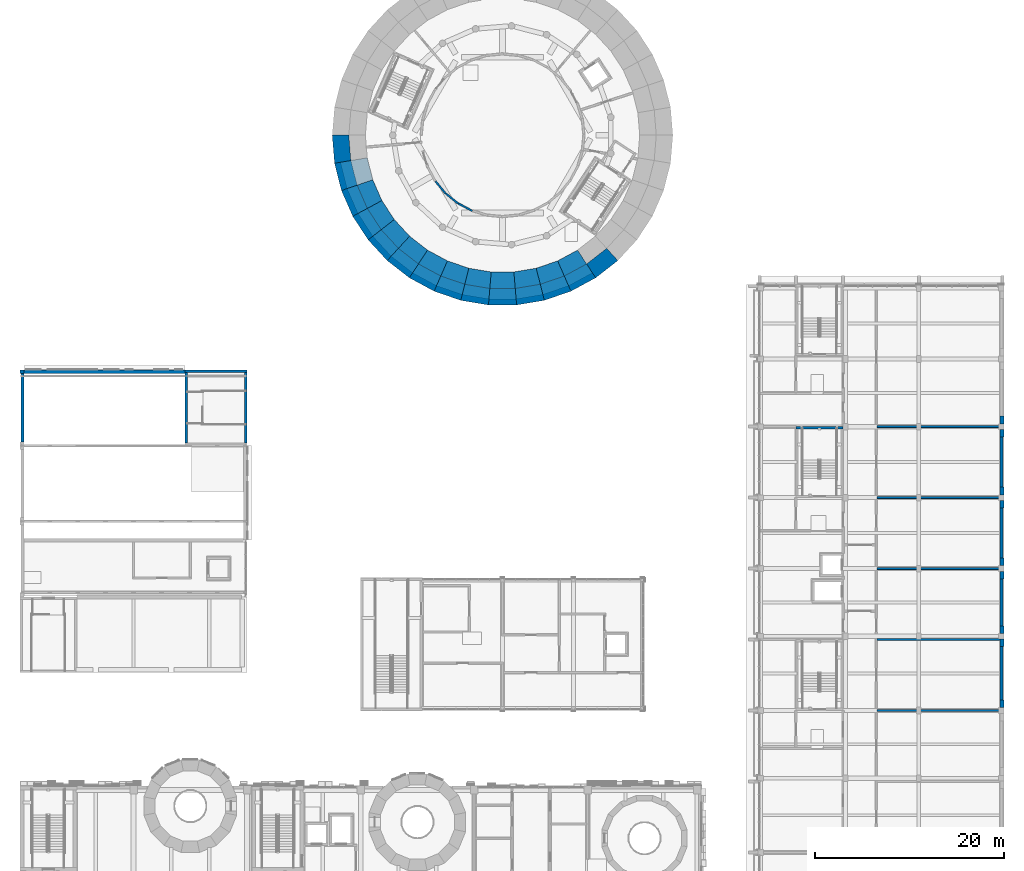
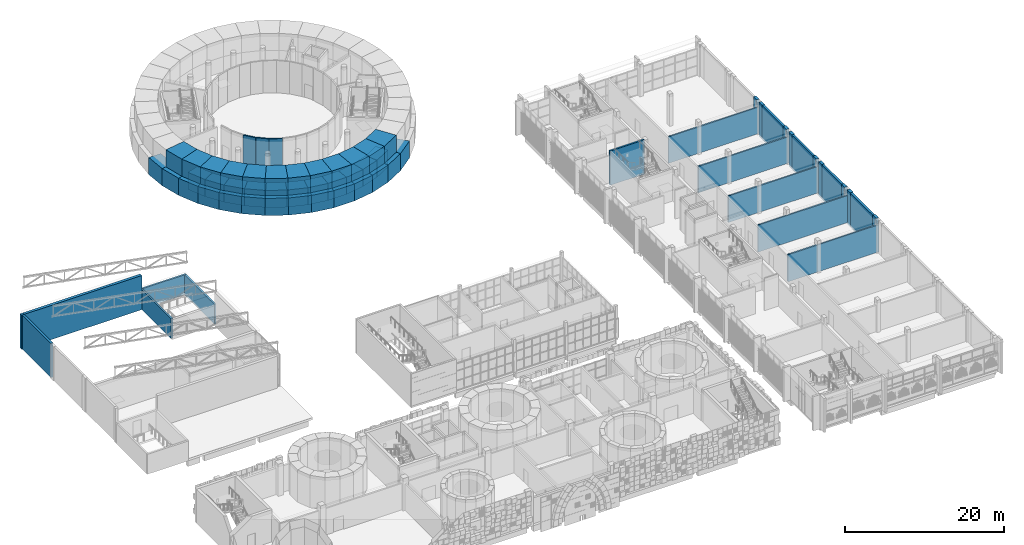
# One storey, part 70 of 125: 65 walls.
"""IFC4 building model written with IfcOpenShell, lengths in metres."""

from ifc_helpers import new_model, si_unit, direction, frame, frame_2d, origin, place, context, subcontext, project, spatial, polyline, rectangle, outline, extrude, material, layer, layer_set, type_object, element, save


model = new_model("IFC4")

# Units and contexts
model_context = context("Model", 3, precision=1e-05, world=origin(), true_north=direction((0.0, 1.0)))
body_context = subcontext(model_context, "Body", "Model", "MODEL_VIEW")
ifc_project = project(units=[si_unit("LENGTHUNIT", "METRE"), si_unit("AREAUNIT", "SQUARE_METRE"), si_unit("VOLUMEUNIT", "CUBIC_METRE"), si_unit("PLANEANGLEUNIT", "RADIAN"), si_unit("MASSUNIT", "GRAM", prefix="KILO")], contexts=[model_context])

# Site, building, storey
site_placement = place(None, origin())
site = spatial("IfcSite", under=ifc_project, at=site_placement, CompositionType="ELEMENT")
building_placement = place(site_placement, origin())
building = spatial("IfcBuilding", under=site, at=building_placement, Name="Sun Court Science Centre", CompositionType="ELEMENT")
storey_placement = place(building_placement, frame((0.0, 0.0, 6.0)))
storey = spatial("IfcBuildingStorey", under=building, at=storey_placement, Name="L01", CompositionType="ELEMENT", Elevation=6.0)

# Walls
ifc_material_1 = material(Name="Gypsum board")
ifc_layer_1 = layer(ifc_material_1, 0.199951171875)
ifc_layer_set_1 = layer_set([ifc_layer_1], Name="Gypsum board")
wall_type_1 = type_object("IfcWallType", Name="Partition 200 acoustic double stud", PredefinedType="PARTITIONING", material=ifc_layer_set_1)
wall_1_placement = place(storey_placement, frame((44.979248046875, 90.638916015625, 0.0), z_axis=(0.0, 0.0, 1.0), x_axis=(-0.634381463281, 0.773020154359, 0.0)))
element("IfcWall", 1, at=wall_1_placement, inside=storey, type_object=wall_type_1, Name="L01 partition 029", PredefinedType="PARTITIONING", context=body_context, shape_type="SweptSolid", body=[
    extrude(rectangle(XDim=1.6728515625, YDim=0.199951171875, at=frame_2d((0.83642578125, 0.0))), origin(), (0.0, 0.0, 1.0), 4.949951171875),
])
wall_2_placement = place(storey_placement, frame((46.297607421875, 89.58349609375, 0.0), z_axis=(0.0, 0.0, 1.0), x_axis=(-0.773007321839, 0.634397099917, 0.0)))
element("IfcWall", 2, at=wall_2_placement, inside=storey, type_object=wall_type_1, Name="L01 partition 032", PredefinedType="PARTITIONING", context=body_context, shape_type="SweptSolid", body=[
    extrude(rectangle(XDim=1.67333984375, YDim=0.199951171875, at=frame_2d((0.836669921875, 0.0))), origin(), (0.0, 0.0, 1.0), 4.949951171875),
])
wall_3_placement = place(storey_placement, frame((47.7958984375, 88.80517578125, 0.0), z_axis=(0.0, 0.0, 1.0), x_axis=(-0.881863670633, 0.471504471259, 0.0)))
element("IfcWall", 3, at=wall_3_placement, inside=storey, type_object=wall_type_1, Name="L01 partition 035", PredefinedType="PARTITIONING", context=body_context, shape_type="SweptSolid", body=[
    extrude(rectangle(XDim=1.673095703125, YDim=0.199951171875, at=frame_2d((0.83642578125, 0.0))), origin(), (0.0, 0.0, 1.0), 4.949951171875),
])
ifc_material_2 = material(Name="Concrete block", Category="concrete")
ifc_layer_2 = layer(ifc_material_2, 0.199951171875)
ifc_layer_set_2 = layer_set([ifc_layer_2], Name="Concrete block")
wall_type_2 = type_object("IfcWallType", Name="Partition 200 laboratory block", PredefinedType="PARTITIONING", material=ifc_layer_set_2)
wall_4_placement = place(storey_placement, frame((90.60009765625, 36.0, 0.0), z_axis=(0.0, 0.0, 1.0), x_axis=(1.0, 0.0, 0.0)))
element("IfcWall", 4, at=wall_4_placement, inside=storey, type_object=wall_type_2, Name="L01 partition 007", PredefinedType="PARTITIONING", context=body_context, shape_type="SweptSolid", body=[
    extrude(rectangle(XDim=13.199951171875, YDim=0.199951171875, at=frame_2d((6.60009765625, 0.0))), origin(), (0.0, 0.0, 1.0), 4.14990234375),
])
wall_5_placement = place(storey_placement, frame((90.60009765625, 43.5, 0.0), z_axis=(0.0, 0.0, 1.0), x_axis=(1.0, 0.0, 0.0)))
element("IfcWall", 5, at=wall_5_placement, inside=storey, type_object=wall_type_2, Name="L01 partition 009", PredefinedType="PARTITIONING", context=body_context, shape_type="SweptSolid", body=[
    extrude(rectangle(XDim=12.997802734375, YDim=0.199951171875, at=frame_2d((6.4990234375, 0.0))), origin(), (0.0, 0.0, 1.0), 4.14990234375),
])
for number, where, z_axis, x_axis, name in (
    (6, (90.60009765625, 51.0, 0.0), (0.0, 0.0, 1.0), (1.0, 0.0, 0.0), "L01 partition 011"),
    (7, (90.60009765625, 58.5, 0.0), (0.0, 0.0, 1.0), (1.0, 0.0, 0.0), "L01 partition 015"),
    (8, (90.60009765625, 66.0, 0.0), (0.0, 0.0, 1.0), (1.0, 0.0, 0.0), "L01 partition 017"),
):
    element("IfcWall", number, at=place(storey_placement, frame(where, z_axis=z_axis, x_axis=x_axis)), inside=storey, type_object=wall_type_2, Name=name, PredefinedType="PARTITIONING", context=body_context, shape_type="SweptSolid", body=[
        extrude(rectangle(XDim=13.199951171875, YDim=0.199951171875, at=frame_2d((6.60009765625, 0.0))), origin(), (0.0, 0.0, 1.0), 4.050048828125),
    ])
ifc_material_3 = material(Name="Concrete C30/37", Category="concrete")
ifc_layer_3 = layer(ifc_material_3, 1.7451171875)
ifc_layer_set_3 = layer_set([ifc_layer_3], Name="Concrete C30/37")
wall_type_3 = type_object("IfcWallType", Name="RC drum wall exterior 1745", PredefinedType="SHEAR", material=ifc_layer_set_3)
wall_6_placement = place(storey_placement, frame((33.869384765625, 96.8720703125, -0.300048828125), z_axis=(0.0, 0.0, 1.0), x_axis=(0.082617291804, -0.996581347957, 0.0)))
element("IfcWall", 9, at=wall_6_placement, inside=storey, type_object=wall_type_3, Name="Drum wall L01 course 1 segment 19", PredefinedType="SHEAR", context=body_context, shape_type="SweptSolid", body=[
    extrude(outline(polyline([(0.0, -0.872314453125), (2.97265625, -0.872314453125), (2.828369140625, 0.872314453125), (0.14453125, 0.87255859375), (0.0, -0.872314453125)])), origin(), (0.0, 0.0, 1.0), 2.625),
])
wall_7_placement = place(storey_placement, frame((34.09130859375, 94.051513671875, -0.300048828125), z_axis=(0.0, 0.0, 1.0), x_axis=(0.245471690726, -0.969403759562, 0.0)))
element("IfcWall", 10, at=wall_7_placement, inside=storey, type_object=wall_type_3, Name="Drum wall L01 course 1 segment 20", PredefinedType="SHEAR", context=body_context, shape_type="SweptSolid", body=[
    extrude(outline(polyline([(0.0, -0.872314453125), (2.972900390625, -0.87255859375), (2.828369140625, 0.87255859375), (0.14453125, 0.872314453125), (0.0, -0.872314453125)])), origin(), (0.0, 0.0, 1.0), 2.625),
])
wall_8_placement = place(storey_placement, frame((34.774169921875, 91.305908203125, -0.300048828125), z_axis=(0.0, 0.0, 1.0), x_axis=(0.401744866956, -0.915751637659, 0.0)))
element("IfcWall", 11, at=wall_8_placement, inside=storey, type_object=wall_type_3, Name="Drum wall L01 course 1 segment 21", PredefinedType="SHEAR", context=body_context, shape_type="SweptSolid", body=[
    extrude(outline(polyline([(0.000244140625, -0.872314453125), (2.972900390625, -0.87255859375), (2.828125, 0.872314453125), (0.144775390625, 0.87255859375), (0.000244140625, -0.872314453125)])), origin(), (0.0, 0.0, 1.0), 2.625),
])
wall_9_placement = place(storey_placement, frame((35.89990234375, 88.710205078125, -0.300048828125), z_axis=(0.0, 0.0, 1.0), x_axis=(0.546943979507, -0.837169208273, 0.0)))
element("IfcWall", 12, at=wall_9_placement, inside=storey, type_object=wall_type_3, Name="Drum wall L01 course 1 segment 22", PredefinedType="SHEAR", context=body_context, shape_type="SweptSolid", body=[
    extrude(outline(polyline([(0.0, -0.87255859375), (2.972900390625, -0.87255859375), (2.828125, 0.872314453125), (0.14453125, 0.872314453125), (0.0, -0.87255859375)])), origin(), (0.0, 0.0, 1.0), 2.625),
])
wall_10_placement = place(storey_placement, frame((37.437255859375, 86.3349609375, -0.300048828125), z_axis=(0.0, 0.0, 1.0), x_axis=(0.677307358238, -0.735700171589, 0.0)))
element("IfcWall", 13, at=wall_10_placement, inside=storey, type_object=wall_type_3, Name="Drum wall L01 course 1 segment 23", PredefinedType="SHEAR", context=body_context, shape_type="SweptSolid", body=[
    extrude(outline(polyline([(0.0, -0.872314453125), (2.972900390625, -0.87255859375), (2.828369140625, 0.87255859375), (0.14453125, 0.87255859375), (0.0, -0.872314453125)])), origin(), (0.0, 0.0, 1.0), 2.625),
])
wall_11_placement = place(storey_placement, frame((39.3447265625, 84.245361328125, -0.300048828125), z_axis=(0.0, 0.0, 1.0), x_axis=(0.78913990845, -0.614213484785, 0.0)))
element("IfcWall", 14, at=wall_11_placement, inside=storey, type_object=wall_type_3, Name="Drum wall L01 course 1 segment 24", PredefinedType="SHEAR", context=body_context, shape_type="SweptSolid", body=[
    extrude(outline(polyline([(0.0, -0.87255859375), (2.97265625, -0.87255859375), (2.828369140625, 0.87255859375), (0.14453125, 0.872802734375), (0.0, -0.87255859375)])), origin(), (0.0, 0.0, 1.0), 2.625),
])
wall_12_placement = place(storey_placement, frame((41.570068359375, 82.498291015625, -0.300048828125), z_axis=(0.0, 0.0, 1.0), x_axis=(0.879472450409, -0.475949796692, 0.0)))
element("IfcWall", 15, at=wall_12_placement, inside=storey, type_object=wall_type_3, Name="Drum wall L01 course 1 segment 25", PredefinedType="SHEAR", context=body_context, shape_type="SweptSolid", body=[
    extrude(outline(polyline([(0.0, -0.87255859375), (2.972900390625, -0.872314453125), (2.828369140625, 0.87255859375), (0.14453125, 0.87255859375), (0.0, -0.87255859375)])), origin(), (0.0, 0.0, 1.0), 2.625),
])
wall_13_placement = place(storey_placement, frame((44.052734375, 81.141357421875, -0.300048828125), z_axis=(0.0, 0.0, 1.0), x_axis=(0.945811972857, -0.324714816417, 0.0)))
element("IfcWall", 16, at=wall_13_placement, inside=storey, type_object=wall_type_3, Name="Drum wall L01 course 1 segment 26", PredefinedType="SHEAR", context=body_context, shape_type="SweptSolid", body=[
    extrude(outline(polyline([(0.0, -0.87255859375), (2.972900390625, -0.87255859375), (2.828125, 0.872314453125), (0.144775390625, 0.872314453125), (0.0, -0.87255859375)])), origin(), (0.0, 0.0, 1.0), 2.625),
])
wall_14_placement = place(storey_placement, frame((46.724853515625, 80.21142578125, -0.300048828125), z_axis=(0.0, 0.0, 1.0), x_axis=(0.986351721292, -0.16465200243, 0.0)))
element("IfcWall", 17, at=wall_14_placement, inside=storey, type_object=wall_type_3, Name="Drum wall L01 course 1 segment 27", PredefinedType="SHEAR", context=body_context, shape_type="SweptSolid", body=[
    extrude(outline(polyline([(0.0, -0.87255859375), (2.972900390625, -0.872314453125), (2.828369140625, 0.87255859375), (0.14453125, 0.872314453125), (0.0, -0.87255859375)])), origin(), (0.0, 0.0, 1.0), 2.625),
])
wall_15_placement = place(storey_placement, frame((49.513671875, 79.73388671875, -0.300048828125), z_axis=(0.0, 0.0, 1.0), x_axis=(1.0, 0.0, 0.0)))
element("IfcWall", 18, at=wall_15_placement, inside=storey, type_object=wall_type_3, Name="Drum wall L01 course 1 segment 28", PredefinedType="SHEAR", context=body_context, shape_type="SweptSolid", body=[
    extrude(outline(polyline([(0.0, -0.872314453125), (2.97265625, -0.872314453125), (2.828125, 0.87255859375), (0.14453125, 0.87255859375), (0.0, -0.872314453125)])), origin(), (0.0, 0.0, 1.0), 2.625),
])
wall_16_placement = place(storey_placement, frame((52.3427734375, 79.721923828125, -0.300048828125), z_axis=(0.0, 0.0, 1.0), x_axis=(0.986351721292, 0.16465200243, 0.0)))
element("IfcWall", 19, at=wall_16_placement, inside=storey, type_object=wall_type_3, Name="Drum wall L01 course 1 segment 29", PredefinedType="SHEAR", context=body_context, shape_type="SweptSolid", body=[
    extrude(outline(polyline([(0.0, -0.872314453125), (2.972900390625, -0.87255859375), (2.828369140625, 0.872314453125), (0.144775390625, 0.87255859375), (0.0, -0.872314453125)])), origin(), (0.0, 0.0, 1.0), 2.625),
])
wall_17_placement = place(storey_placement, frame((55.135498046875, 80.176025390625, -0.300048828125), z_axis=(0.0, 0.0, 1.0), x_axis=(0.945811972857, 0.324714816417, 0.0)))
element("IfcWall", 20, at=wall_17_placement, inside=storey, type_object=wall_type_3, Name="Drum wall L01 course 1 segment 30", PredefinedType="SHEAR", context=body_context, shape_type="SweptSolid", body=[
    extrude(outline(polyline([(0.0, -0.87255859375), (2.97265625, -0.87255859375), (2.828125, 0.872314453125), (0.14453125, 0.872314453125), (0.0, -0.87255859375)])), origin(), (0.0, 0.0, 1.0), 2.625),
])
wall_18_placement = place(storey_placement, frame((57.815185546875, 81.083251953125, -0.300048828125), z_axis=(0.0, 0.0, 1.0), x_axis=(0.879472450409, 0.475949796692, 0.0)))
element("IfcWall", 21, at=wall_18_placement, inside=storey, type_object=wall_type_3, Name="Drum wall L01 course 1 segment 31", PredefinedType="SHEAR", context=body_context, shape_type="SweptSolid", body=[
    extrude(outline(polyline([(0.000244140625, -0.872314453125), (2.97314453125, -0.87255859375), (2.828369140625, 0.87255859375), (0.14453125, 0.87255859375), (0.000244140625, -0.872314453125)])), origin(), (0.0, 0.0, 1.0), 2.625),
])
wall_19_placement = place(storey_placement, frame((60.309326171875, 82.41943359375, -0.300048828125), z_axis=(0.0, 0.0, 1.0), x_axis=(0.78913990845, 0.614213484785, 0.0)))
element("IfcWall", 22, at=wall_19_placement, inside=storey, type_object=wall_type_3, Name="Drum wall L01 course 1 segment 32", PredefinedType="SHEAR", context=body_context, shape_type="SweptSolid", body=[
    extrude(outline(polyline([(0.0, -0.87255859375), (2.972900390625, -0.87255859375), (2.828125, 0.872802734375), (0.14453125, 0.87255859375), (0.0, -0.87255859375)])), origin(), (0.0, 0.0, 1.0), 2.625),
])
wall_20_placement = place(storey_placement, frame((36.43017578125, 91.874267578125, -0.300048828125), z_axis=(0.0, 0.0, 1.0), x_axis=(0.401744483822, -0.915751805741, 0.0)))
element("IfcWall", 23, at=wall_20_placement, inside=storey, type_object=wall_type_3, Name="Drum wall L01 course 1 inner ring segment 21", PredefinedType="SHEAR", context=body_context, shape_type="SweptSolid", body=[
    extrude(outline(polyline([(0.0, -0.872314453125), (2.683349609375, -0.87255859375), (2.5390625, 0.872314453125), (0.144775390625, 0.87255859375), (0.0, -0.872314453125)])), origin(), (0.0, 0.0, 1.0), 2.625),
])
wall_21_placement = place(storey_placement, frame((37.439697265625, 89.54345703125, -0.300048828125), z_axis=(0.0, 0.0, 1.0), x_axis=(0.546908629801, -0.837192302072, 0.0)))
element("IfcWall", 24, at=wall_21_placement, inside=storey, type_object=wall_type_3, Name="Drum wall L01 course 1 inner ring segment 22", PredefinedType="SHEAR", context=body_context, shape_type="SweptSolid", body=[
    extrude(outline(polyline([(0.0, -0.87255859375), (2.68359375, -0.87255859375), (2.5390625, 0.87255859375), (0.14453125, 0.872314453125), (0.0, -0.87255859375)])), origin(), (0.0, 0.0, 1.0), 2.625),
])
wall_22_placement = place(storey_placement, frame((38.819091796875, 87.410400390625, -0.300048828125), z_axis=(0.0, 0.0, 1.0), x_axis=(0.67730087752, -0.735706137878, 0.0)))
element("IfcWall", 25, at=wall_22_placement, inside=storey, type_object=wall_type_3, Name="Drum wall L01 course 1 inner ring segment 23", PredefinedType="SHEAR", context=body_context, shape_type="SweptSolid", body=[
    extrude(outline(polyline([(-0.000244140625, -0.87255859375), (2.68359375, -0.872314453125), (2.5390625, 0.87255859375), (0.14453125, 0.87255859375), (-0.000244140625, -0.87255859375)])), origin(), (0.0, 0.0, 1.0), 2.625),
])
wall_23_placement = place(storey_placement, frame((40.530517578125, 85.53369140625, -0.300048828125), z_axis=(0.0, 0.0, 1.0), x_axis=(0.789141546579, -0.614211380115, 0.0)))
element("IfcWall", 26, at=wall_23_placement, inside=storey, type_object=wall_type_3, Name="Drum wall L01 course 1 inner ring segment 24", PredefinedType="SHEAR", context=body_context, shape_type="SweptSolid", body=[
    extrude(outline(polyline([(0.000244140625, -0.872314453125), (2.683837890625, -0.87255859375), (2.539306640625, 0.87255859375), (0.144775390625, 0.87255859375), (0.000244140625, -0.872314453125)])), origin(), (0.0, 0.0, 1.0), 2.625),
])
wall_24_placement = place(storey_placement, frame((42.52783203125, 83.964111328125, -0.300048828125), z_axis=(0.0, 0.0, 1.0), x_axis=(0.879455425511, -0.475981254399, 0.0)))
element("IfcWall", 27, at=wall_24_placement, inside=storey, type_object=wall_type_3, Name="Drum wall L01 course 1 inner ring segment 25", PredefinedType="SHEAR", context=body_context, shape_type="SweptSolid", body=[
    extrude(outline(polyline([(0.0, -0.87255859375), (2.683837890625, -0.872314453125), (2.5390625, 0.87255859375), (0.14453125, 0.87255859375), (0.0, -0.87255859375)])), origin(), (0.0, 0.0, 1.0), 2.625),
])
wall_25_placement = place(storey_placement, frame((44.756103515625, 82.74462890625, -0.300048828125), z_axis=(0.0, 0.0, 1.0), x_axis=(0.945825472099, -0.324675493885, 0.0)))
element("IfcWall", 28, at=wall_25_placement, inside=storey, type_object=wall_type_3, Name="Drum wall L01 course 1 inner ring segment 26", PredefinedType="SHEAR", context=body_context, shape_type="SweptSolid", body=[
    extrude(outline(polyline([(0.0, -0.87255859375), (2.68359375, -0.87255859375), (2.5390625, 0.872314453125), (0.14453125, 0.87255859375), (0.0, -0.87255859375)])), origin(), (0.0, 0.0, 1.0), 2.625),
])
wall_26_placement = place(storey_placement, frame((47.15478515625, 81.90869140625, -0.300048828125), z_axis=(0.0, 0.0, 1.0), x_axis=(0.986349630039, -0.164664529641, 0.0)))
element("IfcWall", 29, at=wall_26_placement, inside=storey, type_object=wall_type_3, Name="Drum wall L01 course 1 inner ring segment 27", PredefinedType="SHEAR", context=body_context, shape_type="SweptSolid", body=[
    extrude(outline(polyline([(-0.000244140625, -0.87255859375), (2.68359375, -0.872314453125), (2.538818359375, 0.87255859375), (0.14453125, 0.872314453125), (-0.000244140625, -0.87255859375)])), origin(), (0.0, 0.0, 1.0), 2.625),
])
wall_27_placement = place(storey_placement, frame((49.658203125, 81.478759765625, -0.300048828125), z_axis=(0.0, 0.0, 1.0), x_axis=(1.0, 0.0, 0.0)))
element("IfcWall", 30, at=wall_27_placement, inside=storey, type_object=wall_type_3, Name="Drum wall L01 course 1 inner ring segment 28", PredefinedType="SHEAR", context=body_context, shape_type="SweptSolid", body=[
    extrude(outline(polyline([(0.0, -0.872314453125), (2.68359375, -0.872314453125), (2.5390625, 0.87255859375), (0.14453125, 0.87255859375), (0.0, -0.872314453125)])), origin(), (0.0, 0.0, 1.0), 2.625),
])
wall_28_placement = place(storey_placement, frame((52.1982421875, 81.466796875, -0.300048828125), z_axis=(0.0, 0.0, 1.0), x_axis=(0.986349630039, 0.164664529641, 0.0)))
element("IfcWall", 31, at=wall_28_placement, inside=storey, type_object=wall_type_3, Name="Drum wall L01 course 1 inner ring segment 29", PredefinedType="SHEAR", context=body_context, shape_type="SweptSolid", body=[
    extrude(outline(polyline([(0.0, -0.872314453125), (2.683837890625, -0.87255859375), (2.5390625, 0.872314453125), (0.144775390625, 0.87255859375), (0.0, -0.872314453125)])), origin(), (0.0, 0.0, 1.0), 2.625),
])
wall_29_placement = place(storey_placement, frame((54.70556640625, 81.873291015625, -0.300048828125), z_axis=(0.0, 0.0, 1.0), x_axis=(0.945825472099, 0.324675493885, 0.0)))
element("IfcWall", 32, at=wall_29_placement, inside=storey, type_object=wall_type_3, Name="Drum wall L01 course 1 inner ring segment 30", PredefinedType="SHEAR", context=body_context, shape_type="SweptSolid", body=[
    extrude(outline(polyline([(0.000244140625, -0.87255859375), (2.68359375, -0.87255859375), (2.539306640625, 0.87255859375), (0.14453125, 0.872314453125), (0.000244140625, -0.87255859375)])), origin(), (0.0, 0.0, 1.0), 2.625),
])
wall_30_placement = place(storey_placement, frame((57.112060546875, 82.686767578125, -0.300048828125), z_axis=(0.0, 0.0, 1.0), x_axis=(0.879455425511, 0.475981254399, 0.0)))
element("IfcWall", 33, at=wall_30_placement, inside=storey, type_object=wall_type_3, Name="Drum wall L01 course 1 inner ring segment 31", PredefinedType="SHEAR", context=body_context, shape_type="SweptSolid", body=[
    extrude(outline(polyline([(-0.000244140625, -0.872314453125), (2.68359375, -0.87255859375), (2.5390625, 0.87255859375), (0.14453125, 0.87255859375), (-0.000244140625, -0.872314453125)])), origin(), (0.0, 0.0, 1.0), 2.625),
])
ifc_material_4 = material(Name="Concrete C30/37", Category="concrete")
ifc_layer_4 = layer(ifc_material_4, 2.89208984375)
ifc_layer_set_4 = layer_set([ifc_layer_4], Name="Concrete C30/37")
wall_type_4 = type_object("IfcWallType", Name="RC drum wall exterior 2892", PredefinedType="SHEAR", material=ifc_layer_set_4)
wall_31_placement = place(storey_placement, frame((35.239013671875, 94.291015625, 2.324951171875), z_axis=(0.0, 0.0, 1.0), x_axis=(0.245432983547, -0.969413560142, 0.0)))
element("IfcWall", 34, at=wall_31_placement, inside=storey, type_object=wall_type_4, Name="Drum wall L01 course 2 segment 20", PredefinedType="SHEAR", context=body_context, shape_type="SweptSolid", body=[
    extrude(outline(polyline([(0.0, -1.44580078125), (2.8740234375, -1.44580078125), (2.63427734375, 1.446044921875), (0.239501953125, 1.44580078125), (0.0, -1.44580078125)])), origin(), (0.0, 0.0, 1.0), 2.625),
])
wall_32_placement = place(storey_placement, frame((35.866943359375, 91.73095703125, 2.324951171875), z_axis=(0.0, 0.0, 1.0), x_axis=(0.401687745908, -0.915776694827, 0.0)))
element("IfcWall", 35, at=wall_32_placement, inside=storey, type_object=wall_type_4, Name="Drum wall L01 course 2 segment 21", PredefinedType="SHEAR", context=body_context, shape_type="SweptSolid", body=[
    extrude(outline(polyline([(0.0, -1.446044921875), (2.873779296875, -1.44580078125), (2.634033203125, 1.44580078125), (0.23974609375, 1.44580078125), (0.0, -1.446044921875)])), origin(), (0.0, 0.0, 1.0), 2.625),
])
wall_33_placement = place(storey_placement, frame((36.90771484375, 89.309326171875, 2.324951171875), z_axis=(0.0, 0.0, 1.0), x_axis=(0.546951759565, -0.837164125311, 0.0)))
element("IfcWall", 36, at=wall_33_placement, inside=storey, type_object=wall_type_4, Name="Drum wall L01 course 2 segment 22", PredefinedType="SHEAR", context=body_context, shape_type="SweptSolid", body=[
    extrude(outline(polyline([(0.0, -1.44580078125), (2.87353515625, -1.44580078125), (2.634033203125, 1.44580078125), (0.239501953125, 1.44580078125), (0.0, -1.44580078125)])), origin(), (0.0, 0.0, 1.0), 2.625),
])
wall_34_placement = place(storey_placement, frame((38.332763671875, 87.092041015625, 2.324951171875), z_axis=(0.0, 0.0, 1.0), x_axis=(0.677277359134, -0.735727788523, 0.0)))
element("IfcWall", 37, at=wall_34_placement, inside=storey, type_object=wall_type_4, Name="Drum wall L01 course 2 segment 23", PredefinedType="SHEAR", context=body_context, shape_type="SweptSolid", body=[
    extrude(outline(polyline([(0.0, -1.44580078125), (2.8740234375, -1.446044921875), (2.63427734375, 1.446044921875), (0.239501953125, 1.44580078125), (0.0, -1.44580078125)])), origin(), (0.0, 0.0, 1.0), 2.625),
])
wall_35_placement = place(storey_placement, frame((40.103271484375, 85.139404296875, 2.324951171875), z_axis=(0.0, 0.0, 1.0), x_axis=(0.789137170151, -0.614217002928, 0.0)))
element("IfcWall", 38, at=wall_35_placement, inside=storey, type_object=wall_type_4, Name="Drum wall L01 course 2 segment 24", PredefinedType="SHEAR", context=body_context, shape_type="SweptSolid", body=[
    extrude(outline(polyline([(0.000244140625, -1.44580078125), (2.873779296875, -1.44580078125), (2.63427734375, 1.446044921875), (0.23974609375, 1.446044921875), (0.000244140625, -1.44580078125)])), origin(), (0.0, 0.0, 1.0), 2.625),
])
wall_36_placement = place(storey_placement, frame((42.17138671875, 83.5048828125, 2.324951171875), z_axis=(0.0, 0.0, 1.0), x_axis=(0.879481654521, -0.475932788701, 0.0)))
element("IfcWall", 39, at=wall_36_placement, inside=storey, type_object=wall_type_4, Name="Drum wall L01 course 2 segment 25", PredefinedType="SHEAR", context=body_context, shape_type="SweptSolid", body=[
    extrude(outline(polyline([(-0.000244140625, -1.44580078125), (2.87353515625, -1.446044921875), (2.634033203125, 1.44580078125), (0.239501953125, 1.446044921875), (-0.000244140625, -1.44580078125)])), origin(), (0.0, 0.0, 1.0), 2.625),
])
wall_37_placement = place(storey_placement, frame((44.47998046875, 82.233154296875, 2.324951171875), z_axis=(0.0, 0.0, 1.0), x_axis=(0.945816295328, -0.324702225882, 0.0)))
element("IfcWall", 40, at=wall_37_placement, inside=storey, type_object=wall_type_4, Name="Drum wall L01 course 2 segment 26", PredefinedType="SHEAR", context=body_context, shape_type="SweptSolid", body=[
    extrude(outline(polyline([(0.0, -1.446044921875), (2.873779296875, -1.446044921875), (2.63427734375, 1.44580078125), (0.239501953125, 1.44580078125), (0.0, -1.446044921875)])), origin(), (0.0, 0.0, 1.0), 2.625),
])
wall_38_placement = place(storey_placement, frame((46.966552734375, 81.358642578125, 2.324951171875), z_axis=(0.0, 0.0, 1.0), x_axis=(0.986352562153, -0.164646965155, 0.0)))
element("IfcWall", 41, at=wall_38_placement, inside=storey, type_object=wall_type_4, Name="Drum wall L01 course 2 segment 27", PredefinedType="SHEAR", context=body_context, shape_type="SweptSolid", body=[
    extrude(outline(polyline([(0.0, -1.446044921875), (2.873779296875, -1.44580078125), (2.634033203125, 1.446044921875), (0.239501953125, 1.44580078125), (0.0, -1.446044921875)])), origin(), (0.0, 0.0, 1.0), 2.625),
])
wall_39_placement = place(storey_placement, frame((49.563232421875, 80.9052734375, 2.324951171875), z_axis=(0.0, 0.0, 1.0), x_axis=(1.0, 0.0, 0.0)))
element("IfcWall", 42, at=wall_39_placement, inside=storey, type_object=wall_type_4, Name="Drum wall L01 course 2 segment 28", PredefinedType="SHEAR", context=body_context, shape_type="SweptSolid", body=[
    extrude(outline(polyline([(-0.000244140625, -1.44580078125), (2.873779296875, -1.44580078125), (2.634033203125, 1.446044921875), (0.239501953125, 1.446044921875), (-0.000244140625, -1.44580078125)])), origin(), (0.0, 0.0, 1.0), 2.625),
])
wall_40_placement = place(storey_placement, frame((52.198974609375, 80.885498046875, 2.324951171875), z_axis=(0.0, 0.0, 1.0), x_axis=(0.986352562153, 0.164646965155, 0.0)))
element("IfcWall", 43, at=wall_40_placement, inside=storey, type_object=wall_type_4, Name="Drum wall L01 course 2 segment 29", PredefinedType="SHEAR", context=body_context, shape_type="SweptSolid", body=[
    extrude(outline(polyline([(0.0, -1.44580078125), (2.87353515625, -1.446044921875), (2.634033203125, 1.44580078125), (0.23974609375, 1.446044921875), (0.0, -1.44580078125)])), origin(), (0.0, 0.0, 1.0), 2.625),
])
wall_41_placement = place(storey_placement, frame((54.802001953125, 81.300048828125, 2.324951171875), z_axis=(0.0, 0.0, 1.0), x_axis=(0.945816295328, 0.324702225882, 0.0)))
element("IfcWall", 44, at=wall_41_placement, inside=storey, type_object=wall_type_4, Name="Drum wall L01 course 2 segment 30", PredefinedType="SHEAR", context=body_context, shape_type="SweptSolid", body=[
    extrude(outline(polyline([(0.0, -1.446044921875), (2.873779296875, -1.446044921875), (2.63427734375, 1.44580078125), (0.239501953125, 1.44580078125), (0.0, -1.446044921875)])), origin(), (0.0, 0.0, 1.0), 2.625),
])
wall_42_placement = place(storey_placement, frame((57.30126953125, 82.13720703125, 2.324951171875), z_axis=(0.0, 0.0, 1.0), x_axis=(0.879481654521, 0.475932788701, 0.0)))
element("IfcWall", 45, at=wall_42_placement, inside=storey, type_object=wall_type_4, Name="Drum wall L01 course 2 segment 31", PredefinedType="SHEAR", context=body_context, shape_type="SweptSolid", body=[
    extrude(outline(polyline([(0.0, -1.446044921875), (2.873779296875, -1.44580078125), (2.634033203125, 1.446044921875), (0.23974609375, 1.44580078125), (0.0, -1.446044921875)])), origin(), (0.0, 0.0, 1.0), 2.625),
])
ifc_material_5 = material(Name="Concrete C30/37", Category="concrete")
ifc_layer_5 = layer(ifc_material_5, 0.39990234375)
ifc_layer_set_5 = layer_set([ifc_layer_5], Name="Concrete C30/37")
wall_type_5 = type_object("IfcWallType", Name="RC party wall exterior 400", PredefinedType="SOLIDWALL", material=ifc_layer_set_5)
for number, where, z_axis, x_axis, name in (
    (46, (103.800048828125, 36.300048828125, -0.300048828125), (0.0, 0.0, 1.0), (0.0, 1.0, 0.0), "East party wall L01"),
    (47, (103.800048828125, 42.75, -0.300048828125), (0.0, 0.0, 1.0), (0.0, 1.0, 0.0), "East party wall L01"),
    (48, (103.800048828125, 44.14990234375, -0.300048828125), (0.0, 0.0, 1.0), (0.0, 1.0, 0.0), "East party wall L01"),
    (49, (103.800048828125, 49.89990234375, -0.300048828125), (0.0, 0.0, 1.0), (0.0, 1.0, 0.0), "East party wall L01"),
    (50, (103.800048828125, 51.300048828125, -0.300048828125), (0.0, 0.0, 1.0), (0.0, 1.0, 0.0), "East party wall L01"),
    (51, (103.800048828125, 57.39990234375, -0.300048828125), (0.0, 0.0, 1.0), (0.0, 1.0, 0.0), "East party wall L01"),
    (52, (103.800048828125, 58.800048828125, -0.300048828125), (0.0, 0.0, 1.0), (0.0, 1.0, 0.0), "East party wall L01"),
    (53, (103.800048828125, 64.89990234375, -0.300048828125), (0.0, 0.0, 1.0), (0.0, 1.0, 0.0), "East party wall L01"),
    (54, (103.800048828125, 66.300048828125, -0.300048828125), (0.0, 0.0, 1.0), (0.0, 1.0, 0.0), "East party wall L01"),
):
    element("IfcWall", number, at=place(storey_placement, frame(where, z_axis=z_axis, x_axis=x_axis)), inside=storey, type_object=wall_type_5, Name=name, PredefinedType="SOLIDWALL", context=body_context, shape_type="SweptSolid", body=[
        extrude(rectangle(XDim=0.800048828125, YDim=0.39990234375, at=frame_2d((0.39990234375, 0.0))), origin(), (0.0, 0.0, 1.0), 5.25),
    ])
ifc_material_6 = material(Name="Concrete C30/37", Category="concrete")
ifc_layer_6 = layer(ifc_material_6, 0.300048828125)
ifc_layer_set_6 = layer_set([ifc_layer_6], Name="Concrete C30/37")
wall_type_6 = type_object("IfcWallType", Name="RC party wall panel exterior 300", PredefinedType="SOLIDWALL", material=ifc_layer_set_6)
wall_43_placement = place(storey_placement, frame((103.75, 37.10009765625, -0.300048828125), z_axis=(0.0, 0.0, 1.0), x_axis=(0.0, 1.0, 0.0)))
element("IfcWall", 55, at=wall_43_placement, inside=storey, type_object=wall_type_6, Name="East party wall L01 panel", PredefinedType="SOLIDWALL", context=body_context, shape_type="SweptSolid", body=[
    extrude(rectangle(XDim=5.64990234375, YDim=0.300048828125, at=frame_2d((2.824951171875, 0.0))), origin(), (0.0, 0.0, 1.0), 5.25),
])
wall_44_placement = place(storey_placement, frame((103.75, 44.949951171875, -0.300048828125), z_axis=(0.0, 0.0, 1.0), x_axis=(0.0, 1.0, 0.0)))
element("IfcWall", 56, at=wall_44_placement, inside=storey, type_object=wall_type_6, Name="East party wall L01 panel", PredefinedType="SOLIDWALL", context=body_context, shape_type="SweptSolid", body=[
    extrude(rectangle(XDim=4.949951171875, YDim=0.300048828125, at=frame_2d((2.47509765625, 0.0))), origin(), (0.0, 0.0, 1.0), 5.25),
])
for number, where, z_axis, x_axis, name in (
    (57, (103.75, 52.10009765625, -0.300048828125), (0.0, 0.0, 1.0), (0.0, 1.0, 0.0), "East party wall L01 panel"),
    (58, (103.75, 59.60009765625, -0.300048828125), (0.0, 0.0, 1.0), (0.0, 1.0, 0.0), "East party wall L01 panel"),
):
    element("IfcWall", number, at=place(storey_placement, frame(where, z_axis=z_axis, x_axis=x_axis)), inside=storey, type_object=wall_type_6, Name=name, PredefinedType="SOLIDWALL", context=body_context, shape_type="SweptSolid", body=[
        extrude(rectangle(XDim=5.2998046875, YDim=0.300048828125, at=frame_2d((2.64990234375, 0.0))), origin(), (0.0, 0.0, 1.0), 5.25),
    ])
wall_45_placement = place(storey_placement, frame((0.25, 64.39990234375, -0.300048828125), z_axis=(0.0, 0.0, 1.0), x_axis=(0.0, 1.0, 0.0)))
element("IfcWall", 59, at=wall_45_placement, inside=storey, type_object=wall_type_6, Name="West party wall panel L01", PredefinedType="SOLIDWALL", context=body_context, shape_type="SweptSolid", body=[
    extrude(rectangle(XDim=7.2001953125, YDim=0.300048828125, at=frame_2d((3.60009765625, 0.0))), origin(), (0.0, 0.0, 1.0), 5.25),
])
ifc_material_7 = material(Name="Concrete C30/37", Category="concrete")
ifc_layer_7 = layer(ifc_material_7, 0.25)
ifc_layer_set_7 = layer_set([ifc_layer_7], Name="Concrete C30/37")
wall_type_7 = type_object("IfcWallType", Name="RC stair core wall 250", PredefinedType="SHEAR", material=ifc_layer_set_7)
wall_46_placement = place(storey_placement, frame((82.0, 65.875, -0.300048828125), z_axis=(0.0, 0.0, 1.0), x_axis=(1.0, 0.0, 0.0)))
element("IfcWall", 60, at=wall_46_placement, inside=storey, type_object=wall_type_7, Name="Stair core SL3 wall N, L01", PredefinedType="SHEAR", context=body_context, shape_type="SweptSolid", body=[
    extrude(rectangle(XDim=5.0, YDim=0.25, at=frame_2d((2.5, 0.0))), origin(), (0.0, 0.0, 1.0), 5.25),
])
wall_47_placement = place(storey_placement, frame((23.875, 64.25, -0.300048828125), z_axis=(0.0, 0.0, 1.0), x_axis=(0.0, 1.0, 0.0)))
element("IfcWall", 61, at=wall_47_placement, inside=storey, type_object=wall_type_7, Name="Stair core ST2 wall E, L01", PredefinedType="SHEAR", context=body_context, shape_type="SweptSolid", body=[
    extrude(rectangle(XDim=7.5, YDim=0.25, at=frame_2d((3.75, 0.0))), origin(), (0.0, 0.0, 1.0), 3.050048828125),
])
wall_48_placement = place(storey_placement, frame((17.449951171875, 71.875, -0.300048828125), z_axis=(0.0, 0.0, 1.0), x_axis=(1.0, 0.0, 0.0)))
element("IfcWall", 62, at=wall_48_placement, inside=storey, type_object=wall_type_7, Name="Stair core ST2 wall N, L01", PredefinedType="SHEAR", context=body_context, shape_type="SweptSolid", body=[
    extrude(rectangle(XDim=6.550048828125, YDim=0.25, at=frame_2d((3.27490234375, 0.0))), origin(), (0.0, 0.0, 1.0), 3.050048828125),
])
wall_49_placement = place(storey_placement, frame((17.574951171875, 64.25, -0.300048828125), z_axis=(0.0, 0.0, 1.0), x_axis=(0.0, 1.0, 0.0)))
element("IfcWall", 63, at=wall_49_placement, inside=storey, type_object=wall_type_7, Name="Stair core ST2 wall W, L01", PredefinedType="SHEAR", context=body_context, shape_type="SweptSolid", body=[
    extrude(rectangle(XDim=7.5, YDim=0.25, at=frame_2d((3.75, 0.0))), origin(), (0.0, 0.0, 1.0), 3.050048828125),
])
ifc_material_8 = material(Name="Concrete C30/37", Category="concrete")
ifc_layer_8 = layer(ifc_material_8, 0.39990234375)
ifc_layer_set_8 = layer_set([ifc_layer_8], Name="Concrete C30/37")
wall_type_8 = type_object("IfcWallType", Name="RC theatre wall exterior 400", PredefinedType="SOLIDWALL", material=ifc_layer_set_8)
wall_50_placement = place(storey_placement, frame((0.199951171875, 71.60009765625, -0.300048828125), z_axis=(0.0, 0.0, 1.0), x_axis=(0.0, 1.0, 0.0)))
element("IfcWall", 64, at=wall_50_placement, inside=storey, type_object=wall_type_8, Name="West party wall L01", PredefinedType="SOLIDWALL", context=body_context, shape_type="SweptSolid", body=[
    extrude(rectangle(XDim=0.39990234375, YDim=0.39990234375, at=frame_2d((0.199951171875, 0.0))), origin(), (0.0, 0.0, 1.0), 5.25),
])
wall_51_placement = place(storey_placement, frame((0.39990234375, 71.800048828125, -0.300048828125), z_axis=(0.0, 0.0, 1.0), x_axis=(1.0, 0.0, 0.0)))
element("IfcWall", 65, at=wall_51_placement, inside=storey, type_object=wall_type_8, Name="North stage-house wall L01", PredefinedType="SOLIDWALL", context=body_context, shape_type="SweptSolid", body=[
    extrude(rectangle(XDim=17.050048828125, YDim=0.39990234375, at=frame_2d((8.52490234375, 0.0))), origin(), (0.0, 0.0, 1.0), 5.25),
])

save(model, "model.ifc")
